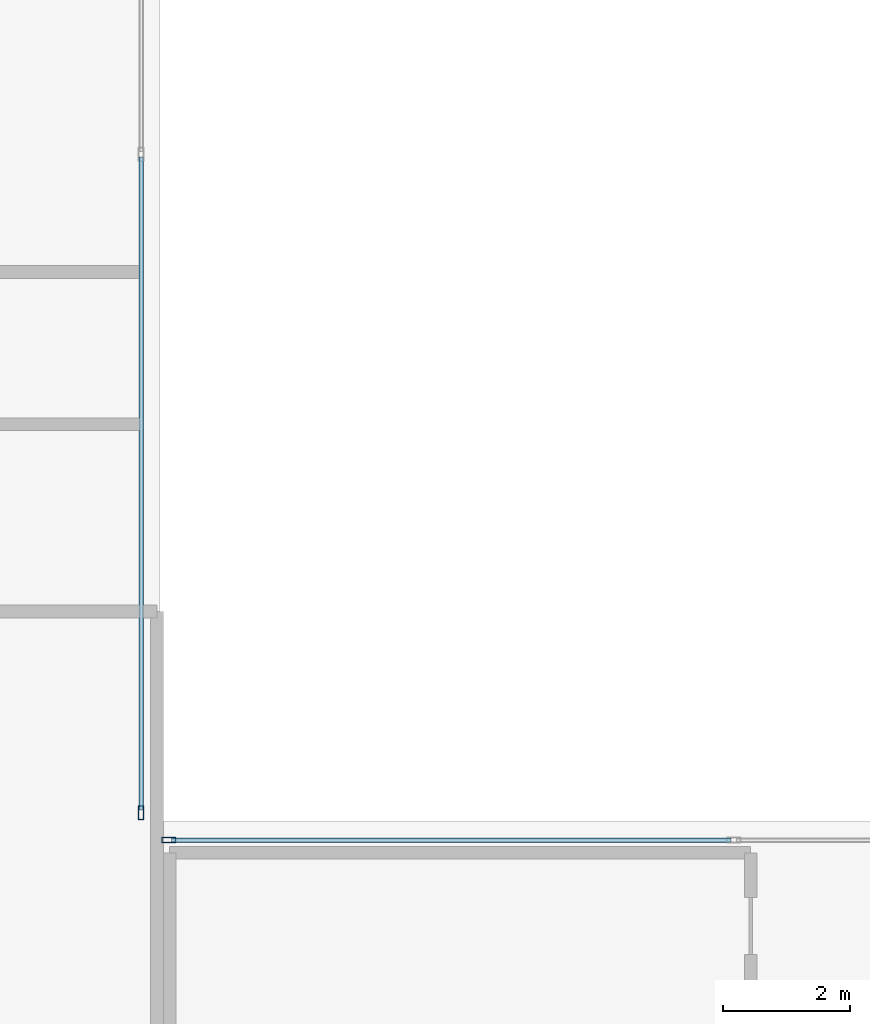
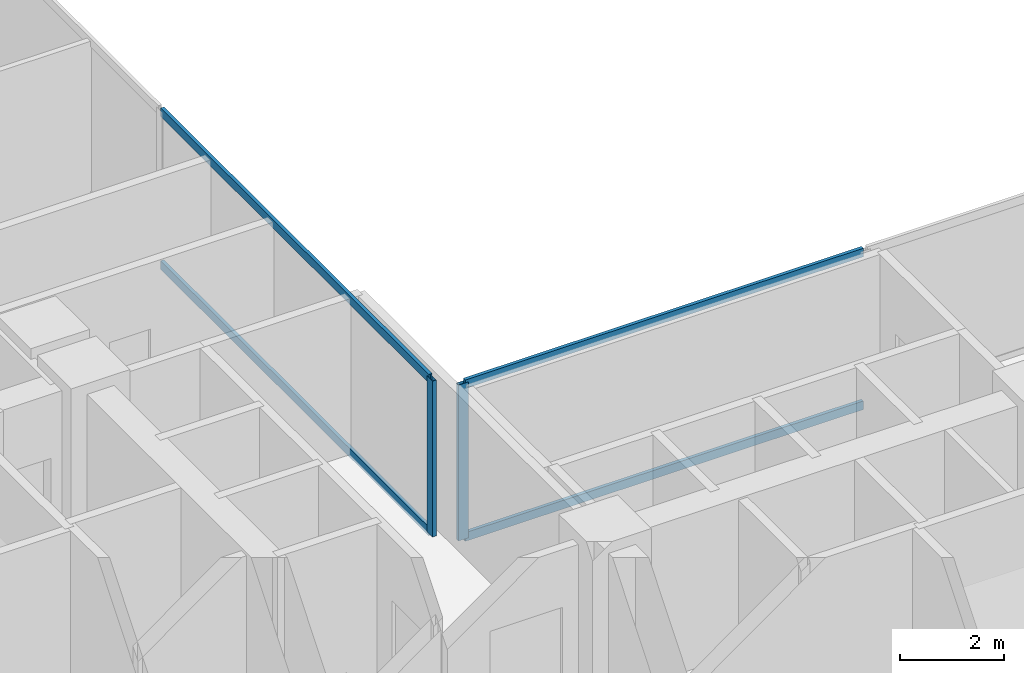
# One storey, part 7 of 27: 6 members, 2 elements without a shape of their own.
"""IFC4 building model written with IfcOpenShell, lengths in metres."""

from ifc_helpers import new_model, si_unit, direction, frame, origin, origin_2d, place, context, subcontext, project, spatial, hollow_rectangle, extrude, material, layer, layer_set, material_profile, profile_set, type_object, element, aggregate, save


model = new_model("IFC4")

# Units and contexts
model_context = context("Model", 3, precision=1e-05, world=origin(), true_north=direction((0.0, 1.0)))
body_context = subcontext(model_context, "Body", "Model", "MODEL_VIEW")
ifc_project = project(units=[si_unit("LENGTHUNIT", "METRE"), si_unit("AREAUNIT", "SQUARE_METRE"), si_unit("VOLUMEUNIT", "CUBIC_METRE"), si_unit("PLANEANGLEUNIT", "RADIAN"), si_unit("MASSUNIT", "GRAM", prefix="KILO"), si_unit("THERMODYNAMICTEMPERATUREUNIT", "KELVIN"), si_unit("POWERUNIT", "WATT")], contexts=[model_context])

# Site, building, storey
site_placement = place(None, origin())
site = spatial("IfcSite", under=ifc_project, at=site_placement, CompositionType="ELEMENT")
building_placement = place(site_placement, origin())
building = spatial("IfcBuilding", under=site, at=building_placement, Name="Svarakhadi Broadcast Tower", CompositionType="ELEMENT")
storey_placement = place(building_placement, frame((0.0, 0.0, 44.10009765625)))
storey = spatial("IfcBuildingStorey", under=building, at=storey_placement, Name="L09", CompositionType="ELEMENT", Elevation=44.10009765625)

# Curtain wall, member
ifc_material = material(Name="Anodised Bronze Aluminium AA 6063-T6", Category="aluminium")
ifc_layer = layer(ifc_material, 0.219970703125)
ifc_layer_set = layer_set([ifc_layer], Name="Anodised Bronze Aluminium AA 6063-T6")
curtain_wall_type = type_object("IfcCurtainWallType", Name="CW_Sys_02", PredefinedType="NOTDEFINED", material=ifc_layer_set)
curtain_wall_1_placement = place(storey_placement, origin())
curtain_wall_1 = element("IfcCurtainWall", 1, at=curtain_wall_1_placement, inside=storey, type_object=curtain_wall_type, Name="L09 Unitised Facade Curtain Wall 09", PredefinedType="NOTDEFINED")
ifc_material_profile_1 = material_profile(ifc_material, hollow_rectangle(XDim=0.0849609375, YDim=0.219970703125, WallThickness=0.006103515625, at=origin_2d()), Name="ALU MULLION 220x85x6")
ifc_profile_set_1 = profile_set([ifc_material_profile_1], Name="Anodised Bronze Aluminium AA 6063-T6")
member_type_1 = type_object("IfcMemberType", Name="CW_Sys_02_Mul", PredefinedType="MULLION", material=ifc_profile_set_1)
member_1_placement = place(storey_placement, frame((23.699951171875, 24.132568359375, 0.0), z_axis=(0.0, 0.0, 1.0), x_axis=(1.0, 0.0, 0.0)))
member_1 = element("IfcMember", 2, at=member_1_placement, type_object=member_type_1, Name="CW-02 mullion 3", PredefinedType="MULLION", context=body_context, shape_type="SweptSolid", body=[
    extrude(hollow_rectangle(XDim=0.0849609375, YDim=0.219970703125, WallThickness=0.006103515625, at=origin_2d()), origin(), (0.0, 0.0, 1.0), 3.64990234375),
])

curtain_wall_2_placement = place(storey_placement, origin())
curtain_wall_2 = element("IfcCurtainWall", 3, at=curtain_wall_2_placement, inside=storey, type_object=curtain_wall_type, Name="L09 Unitised Facade Curtain Wall 10", PredefinedType="NOTDEFINED")
member_2_placement = place(storey_placement, frame((24.132568359375, 23.699951171875, 0.0), z_axis=(0.0, 0.0, 1.0), x_axis=(0.0, 1.0, 0.0)))
member_2 = element("IfcMember", 4, at=member_2_placement, type_object=member_type_1, Name="CW-02 mullion 1", PredefinedType="MULLION", context=body_context, shape_type="SweptSolid", body=[
    extrude(hollow_rectangle(XDim=0.0849609375, YDim=0.219970703125, WallThickness=0.006103515625, at=origin_2d()), origin(), (0.0, 0.0, 1.0), 3.64990234375),
])

# Member
ifc_material_profile_2 = material_profile(ifc_material, hollow_rectangle(XDim=0.074951171875, YDim=0.199951171875, WallThickness=0.0048828125, at=origin_2d()), Name="ALU TRANSOM 200x75x5")
ifc_profile_set_2 = profile_set([ifc_material_profile_2], Name="Anodised Bronze Aluminium AA 6063-T6")
member_type_2 = type_object("IfcMemberType", Name="CW_Sys_02_Trn", PredefinedType="USERDEFINED", material=ifc_profile_set_2)
member_3_placement = place(storey_placement, frame((23.699951171875, 34.45751953125, 0.037353515625), z_axis=(0.0, -1.0, 0.0), x_axis=(1.0, 0.0, 0.0)))
member_3 = element("IfcMember", 5, at=member_3_placement, type_object=member_type_2, Name="CW-02 transom 2.1", ObjectType="TRANSOM", PredefinedType="USERDEFINED", context=body_context, shape_type="SweptSolid", body=[
    extrude(hollow_rectangle(XDim=0.074951171875, YDim=0.199951171875, WallThickness=0.0048828125, at=origin_2d()), origin(), (0.0, 0.0, 1.0), 10.282470703125),
])

member_4_placement = place(storey_placement, frame((23.699951171875, 34.45751953125, 3.6123046875), z_axis=(0.0, -1.0, 0.0), x_axis=(1.0, 0.0, 0.0)))
member_4 = element("IfcMember", 6, at=member_4_placement, type_object=member_type_2, Name="CW-02 transom 2.2", ObjectType="TRANSOM", PredefinedType="USERDEFINED", context=body_context, shape_type="SweptSolid", body=[
    extrude(hollow_rectangle(XDim=0.074951171875, YDim=0.199951171875, WallThickness=0.0048828125, at=origin_2d()), origin(), (0.0, 0.0, 1.0), 10.282470703125),
])

aggregate(curtain_wall_1, [member_1, member_3, member_4])

member_5_placement = place(storey_placement, frame((24.175048828125, 23.699951171875, 0.037353515625), z_axis=(1.0, 0.0, 0.0), x_axis=(0.0, 1.0, 0.0)))
member_5 = element("IfcMember", 7, at=member_5_placement, type_object=member_type_2, Name="CW-02 transom 1.1", ObjectType="TRANSOM", PredefinedType="USERDEFINED", context=body_context, shape_type="SweptSolid", body=[
    extrude(hollow_rectangle(XDim=0.074951171875, YDim=0.199951171875, WallThickness=0.0048828125, at=origin_2d()), origin(), (0.0, 0.0, 1.0), 8.8125),
])

member_6_placement = place(storey_placement, frame((24.175048828125, 23.699951171875, 3.6123046875), z_axis=(1.0, 0.0, 0.0), x_axis=(0.0, 1.0, 0.0)))
member_6 = element("IfcMember", 8, at=member_6_placement, type_object=member_type_2, Name="CW-02 transom 1.2", ObjectType="TRANSOM", PredefinedType="USERDEFINED", context=body_context, shape_type="SweptSolid", body=[
    extrude(hollow_rectangle(XDim=0.074951171875, YDim=0.199951171875, WallThickness=0.0048828125, at=origin_2d()), origin(), (0.0, 0.0, 1.0), 8.8125),
])

aggregate(curtain_wall_2, [member_2, member_5, member_6])

save(model, "model.ifc")
